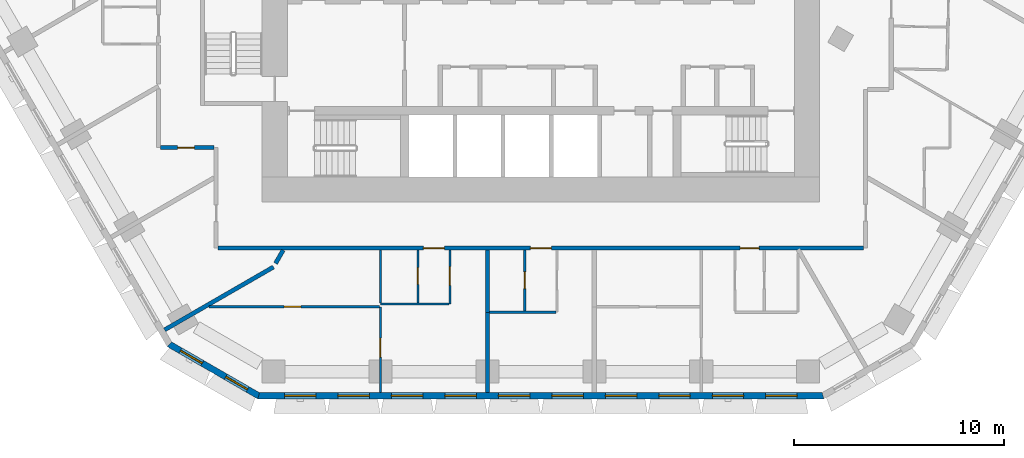
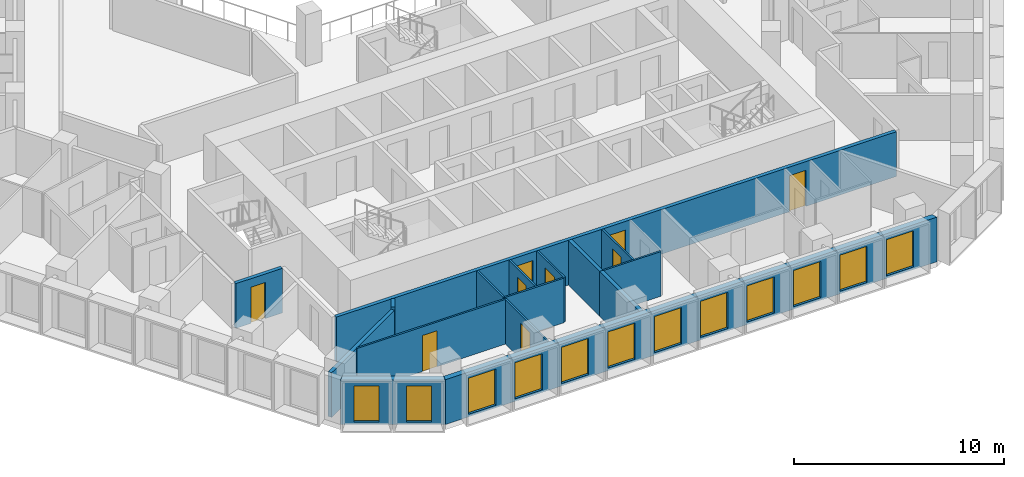
# One storey, part 3 of 21: 16 walls, 12 windows, 9 doors, 21 openings.
"""IFC4 building model written with IfcOpenShell, lengths in metres."""

import ifcopenshell
import ifcopenshell.guid

model = None  # the IFC model being written
_history = None  # IfcOwnerHistory: only IFC2X3 demands one
_inside = {}  # id of a spatial element -> (the spatial element, [elements in it])
_under = {}  # id of a project, library or spatial element -> (it, [spatial elements below it])
_declared = {}  # id of a project -> (the project, [libraries it declares])
_typed = {}  # id of a type object -> (the type object, [elements of that type])
_made_of = {}  # id of a material, layer set ... -> (it, [elements and type objects made of it])


def new_model(schema):
    """Start an empty IFC model of exactly this schema.

    Asked for "IFC4X3", IfcOpenShell would pick the latest addendum, in which some entities
    have other attributes; the version numbers below select the first issue.
    IFC2X3 requires an IfcOwnerHistory on every rooted entity: one is made here for all.
    """
    global model, _history
    if schema == "IFC4X3":
        model = ifcopenshell.file(schema_version=(4, 3, 0, 0))
    else:
        model = ifcopenshell.file(schema=schema)
    _inside.clear()
    _under.clear()
    _declared.clear()
    _typed.clear()
    _made_of.clear()
    _history = None
    if model.schema == "IFC2X3":
        org = make("IfcOrganization", Name="unknown")
        user = make(
            "IfcPersonAndOrganization",
            ThePerson=make("IfcPerson", FamilyName="unknown"),
            TheOrganization=org,
        )
        app = make(
            "IfcApplication",
            ApplicationDeveloper=org,
            Version="unknown",
            ApplicationFullName="unknown",
            ApplicationIdentifier="unknown",
        )
        _history = make(
            "IfcOwnerHistory",
            OwningUser=user,
            OwningApplication=app,
            ChangeAction="ADDED",
            CreationDate=0,
        )
    return model


def make(cls, **values):
    """One entity of the class cls with the attributes given. An attribute that is None is left unset."""
    return model.create_entity(
        cls, **{name: value for name, value in values.items() if value is not None}
    )


def rooted(cls, **values):
    """An entity with a GlobalId (a new one), such as an element, a storey or a relation."""
    return make(cls, GlobalId=ifcopenshell.guid.new(), OwnerHistory=_history, **values)


def si_unit(unit_type, name, prefix=None):
    """IfcSIUnit, for example si_unit("LENGTHUNIT", "METRE", prefix="MILLI")."""
    return make("IfcSIUnit", UnitType=unit_type, Prefix=prefix, Name=name)


def assignment(units):
    """IfcUnitAssignment: the units of a project."""
    return None if units is None else make("IfcUnitAssignment", Units=units)


def point(xyz):
    """IfcCartesianPoint."""
    return None if xyz is None else make("IfcCartesianPoint", Coordinates=xyz)


def direction(xyz):
    """IfcDirection."""
    return None if xyz is None else make("IfcDirection", DirectionRatios=xyz)


def frame(location, z_axis=None, x_axis=None):
    """IfcAxis2Placement3D, a coordinate frame: its origin and axes. An axis left out is left unset."""
    return make(
        "IfcAxis2Placement3D",
        Location=point(location),
        Axis=direction(z_axis),
        RefDirection=direction(x_axis),
    )


def frame_2d(location, x_axis=None):
    """IfcAxis2Placement2D, a coordinate frame in the plane: its origin and x axis."""
    return make(
        "IfcAxis2Placement2D", Location=point(location), RefDirection=direction(x_axis)
    )


def origin():
    """The frame at (0, 0, 0) with its axes left unset."""
    return frame((0.0, 0.0, 0.0))


def place(relative_to, where):
    """IfcLocalPlacement: puts the frame where relative to a parent placement (None: the world)."""
    return make(
        "IfcLocalPlacement", PlacementRelTo=relative_to, RelativePlacement=where
    )


def context(
    kind, dimensions, precision=None, world=None, true_north=None, identifier=None
):
    """IfcGeometricRepresentationContext, for example the 3D "Model" context."""
    return make(
        "IfcGeometricRepresentationContext",
        ContextIdentifier=identifier,
        ContextType=kind,
        CoordinateSpaceDimension=dimensions,
        Precision=precision,
        WorldCoordinateSystem=world,
        TrueNorth=true_north,
    )


def subcontext(parent, identifier, kind, view, scale=None):
    """IfcGeometricRepresentationSubContext, for example "Body" below "Model"."""
    return make(
        "IfcGeometricRepresentationSubContext",
        ContextIdentifier=identifier,
        ContextType=kind,
        ParentContext=parent,
        TargetScale=scale,
        TargetView=view,
    )


def project(units=None, contexts=None):
    """IfcProject with its units and contexts."""
    return rooted(
        "IfcProject",
        Name="project",
        RepresentationContexts=contexts,
        UnitsInContext=assignment(units),
    )


def spatial(cls, under=None, at=None, **own):
    """A site, building, storey or space (cls), placed at a placement, below another one or the project."""
    s = rooted(cls, ObjectPlacement=at, **own)
    if under is not None:
        _under.setdefault(under.id(), (under, []))[1].append(s)
    return s


def polyline(points):
    """IfcPolyline through the points."""
    return make("IfcPolyline", Points=[point(p) for p in points])


def profile(cls, at=None, kind="AREA", **sizes):
    """A parametric profile (cls). Its sizes go by their IFC names, for example OverallWidth=200.0."""
    return make(cls, ProfileType=kind, Position=at, **sizes)


def rectangle(**sizes):
    """IfcRectangleProfileDef."""
    return profile("IfcRectangleProfileDef", **sizes)


def outline(outer, holes=None, kind="AREA"):
    """IfcArbitraryClosedProfileDef: a profile drawn as a closed curve; with holes, ...WithVoids."""
    if holes is None:
        return make("IfcArbitraryClosedProfileDef", ProfileType=kind, OuterCurve=outer)
    return make(
        "IfcArbitraryProfileDefWithVoids",
        ProfileType=kind,
        OuterCurve=outer,
        InnerCurves=holes,
    )


def extrude(swept, where, along, depth):
    """IfcExtrudedAreaSolid: the profile swept, set in the frame where, extruded along a direction by depth."""
    return make(
        "IfcExtrudedAreaSolid",
        SweptArea=swept,
        Position=where,
        ExtrudedDirection=direction(along),
        Depth=depth,
    )


def shape(context_of_items, identifier, shape_type, items):
    """IfcShapeRepresentation: the items that make up one representation, for example the "Body"."""
    return make(
        "IfcShapeRepresentation",
        ContextOfItems=context_of_items,
        RepresentationIdentifier=identifier,
        RepresentationType=shape_type,
        Items=items,
    )


def material(Name=None, Category=None):
    """IfcMaterial."""
    return make("IfcMaterial", Name=Name, Category=Category)


def layer(
    of_material, thickness, ventilated=None, Name=None, Category=None, Priority=None
):
    """IfcMaterialLayer: one layer of a wall or slab, of a material (None: an air gap)."""
    return make(
        "IfcMaterialLayer",
        Material=of_material,
        LayerThickness=thickness,
        IsVentilated=ventilated,
        Name=Name,
        Category=Category,
        Priority=Priority,
    )


def layer_set(layers, Name=None):
    """IfcMaterialLayerSet."""
    return make("IfcMaterialLayerSet", MaterialLayers=layers, LayerSetName=Name)


def made_of(thing, what):
    """Note that an element or type object is made of a material, layer set ...; save() writes the relation."""
    if what is not None:
        _made_of.setdefault(what.id(), (what, []))[1].append(thing)
    return thing


def type_object(cls, material=None, **own):
    """A type object (cls), such as IfcWallType, which elements share."""
    return made_of(rooted(cls, **own), material)


def element(
    cls,
    number,
    at=None,
    inside=None,
    cuts=None,
    type_object=None,
    material=None,
    context=None,
    identifier="Body",
    shape_type=None,
    held_by="IfcProductDefinitionShape",
    body=None,
    shapes=None,
    **own,
):
    """One element of the class cls, such as IfcWall. Its Tag is "e" and its number.

    at: its placement. inside: the storey or other place that contains it. cuts: it is an
    opening in that element (IfcRelVoidsElement). A single representation is given by context,
    identifier, shape_type and body (its items); several are given by shapes. held_by: the class
    of the entity that holds the representations. save() writes the other relations.
    """
    e = rooted(cls, Tag="e%d" % number, ObjectPlacement=at, **own)
    if body is not None:
        shapes = [shape(context, identifier, shape_type, body)]
    if shapes is not None:
        e.Representation = make(held_by, Representations=shapes)
    if inside is not None:
        _inside.setdefault(inside.id(), (inside, []))[1].append(e)
    if cuts is not None:
        rooted(
            "IfcRelVoidsElement", RelatingBuildingElement=cuts, RelatedOpeningElement=e
        )
    if type_object is not None:
        _typed.setdefault(type_object.id(), (type_object, []))[1].append(e)
    return made_of(e, material)


def fill(opening, filler):
    """IfcRelFillsElement: the door or window that sits in an opening."""
    return rooted(
        "IfcRelFillsElement",
        RelatingOpeningElement=opening,
        RelatedBuildingElement=filler,
    )


def aggregate(whole, parts):
    """IfcRelAggregates: a whole, such as a stair, and the parts it consists of."""
    return rooted("IfcRelAggregates", RelatingObject=whole, RelatedObjects=parts)


def save(model, path):
    """Write the relations noted so far, then the file.

    IfcRelAggregates (storeys below a building ...), IfcRelContainedInSpatialStructure (elements
    in a storey), IfcRelDefinesByType, IfcRelAssociatesMaterial and IfcRelDeclares: one each for
    every whole, place, type object, material and project.
    """
    for whole, parts in _under.values():
        aggregate(whole, parts)
    for where, things in _inside.values():
        rooted(
            "IfcRelContainedInSpatialStructure",
            RelatedElements=things,
            RelatingStructure=where,
        )
    for kind, things in _typed.values():
        rooted("IfcRelDefinesByType", RelatedObjects=things, RelatingType=kind)
    for what, things in _made_of.values():
        rooted("IfcRelAssociatesMaterial", RelatedObjects=things, RelatingMaterial=what)
    for by, libraries in _declared.values():
        rooted("IfcRelDeclares", RelatingContext=by, RelatedDefinitions=libraries)
    model.write(path)


model = new_model("IFC4")

# Units and contexts
model_context = context("Model", 3, precision=1e-05, world=origin(), true_north=direction((0.0, 1.0)))
body_context = subcontext(model_context, "Body", "Model", "MODEL_VIEW")
ifc_project = project(units=[si_unit("LENGTHUNIT", "METRE"), si_unit("AREAUNIT", "SQUARE_METRE"), si_unit("VOLUMEUNIT", "CUBIC_METRE"), si_unit("PLANEANGLEUNIT", "RADIAN"), si_unit("MASSUNIT", "GRAM", prefix="KILO")], contexts=[model_context])

# Site, building, storey
site_placement = place(None, origin())
site = spatial("IfcSite", under=ifc_project, at=site_placement, CompositionType="ELEMENT")
building_placement = place(site_placement, origin())
building = spatial("IfcBuilding", under=site, at=building_placement, Name="Beryl Residences", CompositionType="ELEMENT")
storey_placement = place(building_placement, frame((0.0, 0.0, 59.39990234375)))
storey = spatial("IfcBuildingStorey", under=building, at=storey_placement, Name="L18", CompositionType="ELEMENT", Elevation=59.39990234375)

# Wall, openings, windows
ifc_material_1 = material(Name="Composite metal panel with mineral wool insulation")
ifc_layer_1 = layer(ifc_material_1, 0.300048828125)
ifc_layer_set_1 = layer_set([ifc_layer_1], Name="ES1 pale metal composite panel wall 300 mm")
wall_type_1 = type_object("IfcWallType", Name="ES1 pale metal composite panel wall 300 mm", PredefinedType="SOLIDWALL", material=ifc_layer_set_1)
wall_1_placement = place(storey_placement, frame((-17.764892578125, -25.77001953125, 0.0), z_axis=(0.0, 0.0, 1.0), x_axis=(0.866010750942, -0.50002537861, 0.0)))
wall_1 = element("IfcWall", 1, at=wall_1_placement, inside=storey, type_object=wall_type_1, Name="ES1 external wall L18 SW-S", PredefinedType="SOLIDWALL", context=body_context, shape_type="SweptSolid", body=[
    extrude(outline(polyline([(0.0, -0.14990234375), (4.999755859375, -0.14990234375), (4.91943359375, 0.14990234375), (0.080322265625, 0.14990234375), (0.0, -0.14990234375)])), origin(), (0.0, 0.0, 1.0), 2.60009765625),
])
opening_1_placement = place(wall_1_placement, frame((0.64990234375, 0.0, 0.14990234375)))
opening_1 = element("IfcOpeningElement", 2, at=opening_1_placement, cuts=wall_1, Name="Opening W2", PredefinedType="OPENING", context=body_context, shape_type="SweptSolid", body=[
    extrude(rectangle(XDim=1.199951171875, YDim=2.10009765625, at=frame_2d((0.60009765625, 1.050048828125))), frame((0.0, 0.159912109375, 0.0), z_axis=(0.0, -1.0, 0.0), x_axis=(1.0, 0.0, 0.0)), (0.0, 0.0, 1.0), 0.320068359375),
])
opening_2_placement = place(wall_1_placement, frame((3.14990234375, 0.0, 0.14990234375)))
opening_2 = element("IfcOpeningElement", 3, at=opening_2_placement, cuts=wall_1, Name="Opening W2", PredefinedType="OPENING", context=body_context, shape_type="SweptSolid", body=[
    extrude(rectangle(XDim=1.199951171875, YDim=2.10009765625, at=frame_2d((0.60009765625, 1.050048828125))), frame((0.0, 0.159912109375, 0.0), z_axis=(0.0, -1.0, 0.0), x_axis=(1.0, 0.0, 0.0)), (0.0, 0.0, 1.0), 0.320068359375),
])
ifc_material_2 = material(Name="Aluminium and clear glass", Category="aluminium")
window_type_1 = type_object("IfcWindowType", Name="W2 chamfer window 1200 x 2100 mm", PartitioningType="SINGLE_PANEL", PredefinedType="WINDOW", material=ifc_material_2)
window_1_placement = place(opening_1_placement, origin())
window_1 = element("IfcWindow", 4, at=window_1_placement, inside=storey, type_object=window_type_1, Name="W2 window L18 SW-S 1", OverallHeight=2.10009765625, OverallWidth=1.199951171875, PartitioningType="SINGLE_PANEL", PredefinedType="WINDOW", context=body_context, shape_type="SweptSolid", body=[
    extrude(rectangle(XDim=1.199951171875, YDim=2.10009765625, at=frame_2d((0.60009765625, 1.050048828125))), frame((0.0, 0.030029296875, 0.0), z_axis=(0.0, -1.0, 0.0), x_axis=(1.0, 0.0, 0.0)), (0.0, 0.0, 1.0), 0.06005859375),
])
fill(opening_1, window_1)
window_2_placement = place(opening_2_placement, origin())
window_2 = element("IfcWindow", 5, at=window_2_placement, inside=storey, type_object=window_type_1, Name="W2 window L18 SW-S 2", OverallHeight=2.10009765625, OverallWidth=1.199951171875, PartitioningType="SINGLE_PANEL", PredefinedType="WINDOW", context=body_context, shape_type="SweptSolid", body=[
    extrude(rectangle(XDim=1.199951171875, YDim=2.10009765625, at=frame_2d((0.60009765625, 1.050048828125))), frame((0.0, 0.030029296875, 0.0), z_axis=(0.0, -1.0, 0.0), x_axis=(1.0, 0.0, 0.0)), (0.0, 0.0, 1.0), 0.06005859375),
])
fill(opening_2, window_2)

wall_2_placement = place(storey_placement, frame((-13.510009765625, -28.25, 0.0), z_axis=(0.0, 0.0, 1.0), x_axis=(1.0, 0.0, 0.0)))
wall_2 = element("IfcWall", 6, at=wall_2_placement, inside=storey, type_object=wall_type_1, Name="ES1 external wall L18 S", PredefinedType="SOLIDWALL", context=body_context, shape_type="SweptSolid", body=[
    extrude(outline(polyline([(0.0, -0.14990234375), (27.02001953125, -0.14990234375), (26.939697265625, 0.14990234375), (0.080322265625, 0.14990234375), (0.0, -0.14990234375)])), origin(), (0.0, 0.0, 1.0), 2.60009765625),
])
opening_3_placement = place(wall_2_placement, frame((1.277099609375, 0.0, 0.14990234375)))
opening_3 = element("IfcOpeningElement", 7, at=opening_3_placement, cuts=wall_2, Name="Opening W1", PredefinedType="OPENING", context=body_context, shape_type="SweptSolid", body=[
    extrude(rectangle(XDim=1.5, YDim=2.10009765625, at=frame_2d((0.75, 1.050048828125))), frame((0.0, 0.159912109375, 0.0), z_axis=(0.0, -1.0, 0.0), x_axis=(1.0, 0.0, 0.0)), (0.0, 0.0, 1.0), 0.320068359375),
])
opening_4_placement = place(wall_2_placement, frame((3.8291015625, 0.0, 0.14990234375)))
opening_4 = element("IfcOpeningElement", 8, at=opening_4_placement, cuts=wall_2, Name="Opening W1", PredefinedType="OPENING", context=body_context, shape_type="SweptSolid", body=[
    extrude(rectangle(XDim=1.5, YDim=2.10009765625, at=frame_2d((0.75, 1.050048828125))), frame((0.0, 0.159912109375, 0.0), z_axis=(0.0, -1.0, 0.0), x_axis=(1.0, 0.0, 0.0)), (0.0, 0.0, 1.0), 0.320068359375),
])
opening_5_placement = place(wall_2_placement, frame((6.381103515625, 0.0, 0.14990234375)))
opening_5 = element("IfcOpeningElement", 9, at=opening_5_placement, cuts=wall_2, Name="Opening W1", PredefinedType="OPENING", context=body_context, shape_type="SweptSolid", body=[
    extrude(rectangle(XDim=1.5, YDim=2.10009765625, at=frame_2d((0.75, 1.050048828125))), frame((0.0, 0.159912109375, 0.0), z_axis=(0.0, -1.0, 0.0), x_axis=(1.0, 0.0, 0.0)), (0.0, 0.0, 1.0), 0.320068359375),
])
opening_6_placement = place(wall_2_placement, frame((8.93310546875, 0.0, 0.14990234375)))
opening_6 = element("IfcOpeningElement", 10, at=opening_6_placement, cuts=wall_2, Name="Opening W1", PredefinedType="OPENING", context=body_context, shape_type="SweptSolid", body=[
    extrude(rectangle(XDim=1.5, YDim=2.10009765625, at=frame_2d((0.75, 1.050048828125))), frame((0.0, 0.159912109375, 0.0), z_axis=(0.0, -1.0, 0.0), x_axis=(1.0, 0.0, 0.0)), (0.0, 0.0, 1.0), 0.320068359375),
])
opening_7_placement = place(wall_2_placement, frame((11.485107421875, 0.0, 0.14990234375)))
opening_7 = element("IfcOpeningElement", 11, at=opening_7_placement, cuts=wall_2, Name="Opening W1", PredefinedType="OPENING", context=body_context, shape_type="SweptSolid", body=[
    extrude(rectangle(XDim=1.5, YDim=2.10009765625, at=frame_2d((0.75, 1.050048828125))), frame((0.0, 0.159912109375, 0.0), z_axis=(0.0, -1.0, 0.0), x_axis=(1.0, 0.0, 0.0)), (0.0, 0.0, 1.0), 0.320068359375),
])
opening_8_placement = place(wall_2_placement, frame((14.037109375, 0.0, 0.14990234375)))
opening_8 = element("IfcOpeningElement", 12, at=opening_8_placement, cuts=wall_2, Name="Opening W1", PredefinedType="OPENING", context=body_context, shape_type="SweptSolid", body=[
    extrude(rectangle(XDim=1.5, YDim=2.10009765625, at=frame_2d((0.75, 1.050048828125))), frame((0.0, 0.159912109375, 0.0), z_axis=(0.0, -1.0, 0.0), x_axis=(1.0, 0.0, 0.0)), (0.0, 0.0, 1.0), 0.320068359375),
])
opening_9_placement = place(wall_2_placement, frame((16.589111328125, 0.0, 0.14990234375)))
opening_9 = element("IfcOpeningElement", 13, at=opening_9_placement, cuts=wall_2, Name="Opening W1", PredefinedType="OPENING", context=body_context, shape_type="SweptSolid", body=[
    extrude(rectangle(XDim=1.5, YDim=2.10009765625, at=frame_2d((0.75, 1.050048828125))), frame((0.0, 0.159912109375, 0.0), z_axis=(0.0, -1.0, 0.0), x_axis=(1.0, 0.0, 0.0)), (0.0, 0.0, 1.0), 0.320068359375),
])
opening_10_placement = place(wall_2_placement, frame((19.14111328125, 0.0, 0.14990234375)))
opening_10 = element("IfcOpeningElement", 14, at=opening_10_placement, cuts=wall_2, Name="Opening W1", PredefinedType="OPENING", context=body_context, shape_type="SweptSolid", body=[
    extrude(rectangle(XDim=1.5, YDim=2.10009765625, at=frame_2d((0.75, 1.050048828125))), frame((0.0, 0.159912109375, 0.0), z_axis=(0.0, -1.0, 0.0), x_axis=(1.0, 0.0, 0.0)), (0.0, 0.0, 1.0), 0.320068359375),
])
opening_11_placement = place(wall_2_placement, frame((21.693115234375, 0.0, 0.14990234375)))
opening_11 = element("IfcOpeningElement", 15, at=opening_11_placement, cuts=wall_2, Name="Opening W1", PredefinedType="OPENING", context=body_context, shape_type="SweptSolid", body=[
    extrude(rectangle(XDim=1.5, YDim=2.10009765625, at=frame_2d((0.75, 1.050048828125))), frame((0.0, 0.159912109375, 0.0), z_axis=(0.0, -1.0, 0.0), x_axis=(1.0, 0.0, 0.0)), (0.0, 0.0, 1.0), 0.320068359375),
])
opening_12_placement = place(wall_2_placement, frame((24.2451171875, 0.0, 0.14990234375)))
opening_12 = element("IfcOpeningElement", 16, at=opening_12_placement, cuts=wall_2, Name="Opening W1", PredefinedType="OPENING", context=body_context, shape_type="SweptSolid", body=[
    extrude(rectangle(XDim=1.5, YDim=2.10009765625, at=frame_2d((0.75, 1.050048828125))), frame((0.0, 0.159912109375, 0.0), z_axis=(0.0, -1.0, 0.0), x_axis=(1.0, 0.0, 0.0)), (0.0, 0.0, 1.0), 0.320068359375),
])
ifc_material_3 = material(Name="Aluminium and clear glass", Category="aluminium")
window_type_2 = type_object("IfcWindowType", Name="W1 cell window 1500 x 2100 mm", PartitioningType="SINGLE_PANEL", PredefinedType="WINDOW", material=ifc_material_3)
window_3_placement = place(opening_3_placement, origin())
window_3 = element("IfcWindow", 17, at=window_3_placement, inside=storey, type_object=window_type_2, Name="W1 window L18 S 1", OverallHeight=2.10009765625, OverallWidth=1.5, PartitioningType="SINGLE_PANEL", PredefinedType="WINDOW", context=body_context, shape_type="SweptSolid", body=[
    extrude(rectangle(XDim=1.5, YDim=2.10009765625, at=frame_2d((0.75, 1.050048828125))), frame((0.0, 0.030029296875, 0.0), z_axis=(0.0, -1.0, 0.0), x_axis=(1.0, 0.0, 0.0)), (0.0, 0.0, 1.0), 0.06005859375),
])
fill(opening_3, window_3)
window_4_placement = place(opening_4_placement, origin())
window_4 = element("IfcWindow", 18, at=window_4_placement, inside=storey, type_object=window_type_2, Name="W1 window L18 S 2", OverallHeight=2.10009765625, OverallWidth=1.5, PartitioningType="SINGLE_PANEL", PredefinedType="WINDOW", context=body_context, shape_type="SweptSolid", body=[
    extrude(rectangle(XDim=1.5, YDim=2.10009765625, at=frame_2d((0.75, 1.050048828125))), frame((0.0, 0.030029296875, 0.0), z_axis=(0.0, -1.0, 0.0), x_axis=(1.0, 0.0, 0.0)), (0.0, 0.0, 1.0), 0.06005859375),
])
fill(opening_4, window_4)
window_5_placement = place(opening_5_placement, origin())
window_5 = element("IfcWindow", 19, at=window_5_placement, inside=storey, type_object=window_type_2, Name="W1 window L18 S 3", OverallHeight=2.10009765625, OverallWidth=1.5, PartitioningType="SINGLE_PANEL", PredefinedType="WINDOW", context=body_context, shape_type="SweptSolid", body=[
    extrude(rectangle(XDim=1.5, YDim=2.10009765625, at=frame_2d((0.75, 1.050048828125))), frame((0.0, 0.030029296875, 0.0), z_axis=(0.0, -1.0, 0.0), x_axis=(1.0, 0.0, 0.0)), (0.0, 0.0, 1.0), 0.06005859375),
])
fill(opening_5, window_5)
window_6_placement = place(opening_6_placement, origin())
window_6 = element("IfcWindow", 20, at=window_6_placement, inside=storey, type_object=window_type_2, Name="W1 window L18 S 4", OverallHeight=2.10009765625, OverallWidth=1.5, PartitioningType="SINGLE_PANEL", PredefinedType="WINDOW", context=body_context, shape_type="SweptSolid", body=[
    extrude(rectangle(XDim=1.5, YDim=2.10009765625, at=frame_2d((0.75, 1.050048828125))), frame((0.0, 0.030029296875, 0.0), z_axis=(0.0, -1.0, 0.0), x_axis=(1.0, 0.0, 0.0)), (0.0, 0.0, 1.0), 0.06005859375),
])
fill(opening_6, window_6)
window_7_placement = place(opening_7_placement, origin())
window_7 = element("IfcWindow", 21, at=window_7_placement, inside=storey, type_object=window_type_2, Name="W1 window L18 S 5", OverallHeight=2.10009765625, OverallWidth=1.5, PartitioningType="SINGLE_PANEL", PredefinedType="WINDOW", context=body_context, shape_type="SweptSolid", body=[
    extrude(rectangle(XDim=1.5, YDim=2.10009765625, at=frame_2d((0.75, 1.050048828125))), frame((0.0, 0.030029296875, 0.0), z_axis=(0.0, -1.0, 0.0), x_axis=(1.0, 0.0, 0.0)), (0.0, 0.0, 1.0), 0.06005859375),
])
fill(opening_7, window_7)
window_8_placement = place(opening_8_placement, origin())
window_8 = element("IfcWindow", 22, at=window_8_placement, inside=storey, type_object=window_type_2, Name="W1 window L18 S 6", OverallHeight=2.10009765625, OverallWidth=1.5, PartitioningType="SINGLE_PANEL", PredefinedType="WINDOW", context=body_context, shape_type="SweptSolid", body=[
    extrude(rectangle(XDim=1.5, YDim=2.10009765625, at=frame_2d((0.75, 1.050048828125))), frame((0.0, 0.030029296875, 0.0), z_axis=(0.0, -1.0, 0.0), x_axis=(1.0, 0.0, 0.0)), (0.0, 0.0, 1.0), 0.06005859375),
])
fill(opening_8, window_8)
window_9_placement = place(opening_9_placement, origin())
window_9 = element("IfcWindow", 23, at=window_9_placement, inside=storey, type_object=window_type_2, Name="W1 window L18 S 7", OverallHeight=2.10009765625, OverallWidth=1.5, PartitioningType="SINGLE_PANEL", PredefinedType="WINDOW", context=body_context, shape_type="SweptSolid", body=[
    extrude(rectangle(XDim=1.5, YDim=2.10009765625, at=frame_2d((0.75, 1.050048828125))), frame((0.0, 0.030029296875, 0.0), z_axis=(0.0, -1.0, 0.0), x_axis=(1.0, 0.0, 0.0)), (0.0, 0.0, 1.0), 0.06005859375),
])
fill(opening_9, window_9)
window_10_placement = place(opening_10_placement, origin())
window_10 = element("IfcWindow", 24, at=window_10_placement, inside=storey, type_object=window_type_2, Name="W1 window L18 S 8", OverallHeight=2.10009765625, OverallWidth=1.5, PartitioningType="SINGLE_PANEL", PredefinedType="WINDOW", context=body_context, shape_type="SweptSolid", body=[
    extrude(rectangle(XDim=1.5, YDim=2.10009765625, at=frame_2d((0.75, 1.050048828125))), frame((0.0, 0.030029296875, 0.0), z_axis=(0.0, -1.0, 0.0), x_axis=(1.0, 0.0, 0.0)), (0.0, 0.0, 1.0), 0.06005859375),
])
fill(opening_10, window_10)
window_11_placement = place(opening_11_placement, origin())
window_11 = element("IfcWindow", 25, at=window_11_placement, inside=storey, type_object=window_type_2, Name="W1 window L18 S 9", OverallHeight=2.10009765625, OverallWidth=1.5, PartitioningType="SINGLE_PANEL", PredefinedType="WINDOW", context=body_context, shape_type="SweptSolid", body=[
    extrude(rectangle(XDim=1.5, YDim=2.10009765625, at=frame_2d((0.75, 1.050048828125))), frame((0.0, 0.030029296875, 0.0), z_axis=(0.0, -1.0, 0.0), x_axis=(1.0, 0.0, 0.0)), (0.0, 0.0, 1.0), 0.06005859375),
])
fill(opening_11, window_11)
window_12_placement = place(opening_12_placement, origin())
window_12 = element("IfcWindow", 26, at=window_12_placement, inside=storey, type_object=window_type_2, Name="W1 window L18 S 10", OverallHeight=2.10009765625, OverallWidth=1.5, PartitioningType="SINGLE_PANEL", PredefinedType="WINDOW", context=body_context, shape_type="SweptSolid", body=[
    extrude(rectangle(XDim=1.5, YDim=2.10009765625, at=frame_2d((0.75, 1.050048828125))), frame((0.0, 0.030029296875, 0.0), z_axis=(0.0, -1.0, 0.0), x_axis=(1.0, 0.0, 0.0)), (0.0, 0.0, 1.0), 0.06005859375),
])
fill(opening_12, window_12)

# Walls
ifc_material_4 = material(Name="Gypsum board partition on steel studs", Category="steel")
ifc_layer_2 = layer(ifc_material_4, 0.10009765625)
ifc_layer_set_2 = layer_set([ifc_layer_2], Name="PT1 partition 100 mm gypsum board on steel studs")
wall_type_2 = type_object("IfcWallType", Name="PT1 partition 100 mm gypsum board on steel studs", PredefinedType="PARTITIONING", material=ifc_layer_set_2)
wall_3_placement = place(storey_placement, frame((-7.655029296875, -21.300048828125, 0.0), z_axis=(0.0, 0.0, 1.0), x_axis=(0.0, -1.0, 0.0)))
element("IfcWall", 27, at=wall_3_placement, inside=storey, type_object=wall_type_2, Name="Wall PT1 L18 011", PredefinedType="PARTITIONING", context=body_context, shape_type="SweptSolid", body=[
    extrude(rectangle(XDim=2.530029296875, YDim=0.10009765625, at=frame_2d((1.26513671875, 0.0))), origin(), (0.0, 0.0, 1.0), 2.60009765625),
])
wall_4_placement = place(storey_placement, frame((-7.655029296875, -23.860107421875, 0.0), z_axis=(0.0, 0.0, 1.0), x_axis=(1.0, 0.0, 0.0)))
element("IfcWall", 28, at=wall_4_placement, inside=storey, type_object=wall_type_2, Name="Wall PT1 L18 032", PredefinedType="PARTITIONING", context=body_context, shape_type="SweptSolid", body=[
    extrude(rectangle(XDim=3.26708984375, YDim=0.10009765625, at=frame_2d((1.633544921875, 0.0))), origin(), (0.0, 0.0, 1.0), 2.60009765625),
])

# Wall, opening, door
wall_5_placement = place(storey_placement, frame((-15.847900390625, -24.0, 0.0), z_axis=(0.0, 0.0, 1.0), x_axis=(1.0, 0.0, 0.0)))
wall_5 = element("IfcWall", 29, at=wall_5_placement, inside=storey, type_object=wall_type_2, Name="Wall PT1 L18 033", PredefinedType="PARTITIONING", context=body_context, shape_type="SweptSolid", body=[
    extrude(rectangle(XDim=8.142822265625, YDim=0.10009765625, at=frame_2d((4.0712890625, 0.0))), origin(), (0.0, 0.0, 1.0), 2.60009765625),
])
opening_13_placement = place(wall_5_placement, frame((3.595947265625, 0.0, 0.0)))
opening_13 = element("IfcOpeningElement", 30, at=opening_13_placement, cuts=wall_5, Name="Opening D0361", PredefinedType="OPENING", context=body_context, shape_type="SweptSolid", body=[
    extrude(rectangle(XDim=0.800048828125, YDim=2.10009765625, at=frame_2d((0.39990234375, 1.050048828125))), frame((0.0, 0.06005859375, 0.0), z_axis=(0.0, -1.0, 0.0), x_axis=(1.0, 0.0, 0.0)), (0.0, 0.0, 1.0), 0.1201171875),
])
ifc_material_5 = material(Name="Timber door leaf", Category="wood")
door_type_1 = type_object("IfcDoorType", Name="D3 bathroom door 800 x 2100 mm", OperationType="SINGLE_SWING_LEFT", PredefinedType="DOOR", material=ifc_material_5)
door_1_placement = place(opening_13_placement, origin())
door_1 = element("IfcDoor", 31, at=door_1_placement, inside=storey, type_object=door_type_1, Name="Door D0361 L18 001", OperationType="SINGLE_SWING_LEFT", OverallHeight=2.10009765625, OverallWidth=0.800048828125, PredefinedType="DOOR", context=body_context, shape_type="SweptSolid", body=[
    extrude(rectangle(XDim=0.800048828125, YDim=2.10009765625, at=frame_2d((0.39990234375, 1.050048828125))), frame((0.0, 0.02490234375, 0.0), z_axis=(0.0, -1.0, 0.0), x_axis=(1.0, 0.0, 0.0)), (0.0, 0.0, 1.0), 0.050048828125),
])
fill(opening_13, door_1)

# Wall
wall_6_placement = place(storey_placement, frame((-2.450927734375, -24.260009765625, 0.0), z_axis=(0.0, 0.0, 1.0), x_axis=(1.0, 0.0, 0.0)))
element("IfcWall", 32, at=wall_6_placement, inside=storey, type_object=wall_type_2, Name="Wall PT1 L18 035", PredefinedType="PARTITIONING", context=body_context, shape_type="SweptSolid", body=[
    extrude(rectangle(XDim=3.1669921875, YDim=0.10009765625, at=frame_2d((1.58349609375, 0.0))), origin(), (0.0, 0.0, 1.0), 2.60009765625),
])

# Wall, opening, door
wall_7_placement = place(storey_placement, frame((-4.3369140625, -23.85888671875, 0.0), z_axis=(0.0, 0.0, 1.0), x_axis=(0.0, 1.0, 0.0)))
wall_7 = element("IfcWall", 33, at=wall_7_placement, inside=storey, type_object=wall_type_2, Name="Wall PT1 L18 059", PredefinedType="PARTITIONING", context=body_context, shape_type="SweptSolid", body=[
    extrude(rectangle(XDim=2.558837890625, YDim=0.10009765625, at=frame_2d((1.279296875, 0.0))), origin(), (0.0, 0.0, 1.0), 2.60009765625),
])
opening_14_placement = place(wall_7_placement, frame((0.87890625, 0.0, 0.0)))
opening_14 = element("IfcOpeningElement", 34, at=opening_14_placement, cuts=wall_7, Name="Opening D0358", PredefinedType="OPENING", context=body_context, shape_type="SweptSolid", body=[
    extrude(rectangle(XDim=0.89990234375, YDim=2.10009765625, at=frame_2d((0.449951171875, 1.050048828125))), frame((0.0, 0.06005859375, 0.0), z_axis=(0.0, -1.0, 0.0), x_axis=(1.0, 0.0, 0.0)), (0.0, 0.0, 1.0), 0.1201171875),
])
ifc_material_6 = material(Name="Timber door leaf", Category="wood")
door_type_2 = type_object("IfcDoorType", Name="D2 room door 900 x 2100 mm", OperationType="SINGLE_SWING_LEFT", PredefinedType="DOOR", material=ifc_material_6)
door_2_placement = place(opening_14_placement, origin())
door_2 = element("IfcDoor", 35, at=door_2_placement, inside=storey, type_object=door_type_2, Name="Door D0358 L18 001", OperationType="SINGLE_SWING_RIGHT", OverallHeight=2.10009765625, OverallWidth=0.89990234375, PredefinedType="DOOR", context=body_context, shape_type="SweptSolid", body=[
    extrude(rectangle(XDim=0.89990234375, YDim=2.10009765625, at=frame_2d((0.449951171875, 1.050048828125))), frame((0.0, 0.02490234375, 0.0), z_axis=(0.0, -1.0, 0.0), x_axis=(1.0, 0.0, 0.0)), (0.0, 0.0, 1.0), 0.050048828125),
])
fill(opening_14, door_2)

wall_8_placement = place(storey_placement, frame((-5.868896484375, -23.81005859375, 0.0), z_axis=(0.0, 0.0, 1.0), x_axis=(0.0, 1.0, 0.0)))
wall_8 = element("IfcWall", 36, at=wall_8_placement, inside=storey, type_object=wall_type_2, Name="Wall PT1 L18 060", PredefinedType="PARTITIONING", context=body_context, shape_type="SweptSolid", body=[
    extrude(rectangle(XDim=2.510009765625, YDim=0.10009765625, at=frame_2d((1.2548828125, 0.0))), origin(), (0.0, 0.0, 1.0), 2.60009765625),
])
opening_15_placement = place(wall_8_placement, frame((0.8798828125, 0.0, 0.0)))
opening_15 = element("IfcOpeningElement", 37, at=opening_15_placement, cuts=wall_8, Name="Opening D0359", PredefinedType="OPENING", context=body_context, shape_type="SweptSolid", body=[
    extrude(rectangle(XDim=0.800048828125, YDim=2.10009765625, at=frame_2d((0.39990234375, 1.050048828125))), frame((0.0, 0.06005859375, 0.0), z_axis=(0.0, -1.0, 0.0), x_axis=(1.0, 0.0, 0.0)), (0.0, 0.0, 1.0), 0.1201171875),
])
door_3_placement = place(opening_15_placement, origin())
door_3 = element("IfcDoor", 38, at=door_3_placement, inside=storey, type_object=door_type_1, Name="Door D0359 L18 001", OperationType="SINGLE_SWING_LEFT", OverallHeight=2.10009765625, OverallWidth=0.800048828125, PredefinedType="DOOR", context=body_context, shape_type="SweptSolid", body=[
    extrude(rectangle(XDim=0.800048828125, YDim=2.10009765625, at=frame_2d((0.39990234375, 1.050048828125))), frame((0.0, 0.02490234375, 0.0), z_axis=(0.0, -1.0, 0.0), x_axis=(1.0, 0.0, 0.0)), (0.0, 0.0, 1.0), 0.050048828125),
])
fill(opening_15, door_3)

wall_9_placement = place(storey_placement, frame((-0.764892578125, -24.2099609375, 0.0), z_axis=(0.0, 0.0, 1.0), x_axis=(0.0, 1.0, 0.0)))
wall_9 = element("IfcWall", 39, at=wall_9_placement, inside=storey, type_object=wall_type_2, Name="Wall PT1 L18 062", PredefinedType="PARTITIONING", context=body_context, shape_type="SweptSolid", body=[
    extrude(rectangle(XDim=2.909912109375, YDim=0.10009765625, at=frame_2d((1.455078125, 0.0))), origin(), (0.0, 0.0, 1.0), 2.60009765625),
])
opening_16_placement = place(wall_9_placement, frame((1.080078125, 0.0, 0.0)))
opening_16 = element("IfcOpeningElement", 40, at=opening_16_placement, cuts=wall_9, Name="Opening D0364", PredefinedType="OPENING", context=body_context, shape_type="SweptSolid", body=[
    extrude(rectangle(XDim=0.800048828125, YDim=2.10009765625, at=frame_2d((0.39990234375, 1.050048828125))), frame((0.0, 0.06005859375, 0.0), z_axis=(0.0, -1.0, 0.0), x_axis=(1.0, 0.0, 0.0)), (0.0, 0.0, 1.0), 0.1201171875),
])
door_4_placement = place(opening_16_placement, origin())
door_4 = element("IfcDoor", 41, at=door_4_placement, inside=storey, type_object=door_type_1, Name="Door D0364 L18 001", OperationType="SINGLE_SWING_RIGHT", OverallHeight=2.10009765625, OverallWidth=0.800048828125, PredefinedType="DOOR", context=body_context, shape_type="SweptSolid", body=[
    extrude(rectangle(XDim=0.800048828125, YDim=2.10009765625, at=frame_2d((0.39990234375, 1.050048828125))), frame((0.0, 0.02490234375, 0.0), z_axis=(0.0, -1.0, 0.0), x_axis=(1.0, 0.0, 0.0)), (0.0, 0.0, 1.0), 0.050048828125),
])
fill(opening_16, door_4)

wall_10_placement = place(storey_placement, frame((-7.655029296875, -28.10009765625, 0.0), z_axis=(0.0, 0.0, 1.0), x_axis=(0.0, 1.0, 0.0)))
wall_10 = element("IfcWall", 42, at=wall_10_placement, inside=storey, type_object=wall_type_2, Name="Wall PT1 L18 063", PredefinedType="PARTITIONING", context=body_context, shape_type="SweptSolid", body=[
    extrude(rectangle(XDim=4.10009765625, YDim=0.10009765625, at=frame_2d((2.050048828125, 0.0))), origin(), (0.0, 0.0, 1.0), 2.60009765625),
])
opening_17_placement = place(wall_10_placement, frame((1.699951171875, 0.0, 0.0)))
opening_17 = element("IfcOpeningElement", 43, at=opening_17_placement, cuts=wall_10, Name="Opening D0360", PredefinedType="OPENING", context=body_context, shape_type="SweptSolid", body=[
    extrude(rectangle(XDim=0.89990234375, YDim=2.10009765625, at=frame_2d((0.449951171875, 1.050048828125))), frame((0.0, 0.06005859375, 0.0), z_axis=(0.0, -1.0, 0.0), x_axis=(1.0, 0.0, 0.0)), (0.0, 0.0, 1.0), 0.1201171875),
])
door_5_placement = place(opening_17_placement, origin())
door_5 = element("IfcDoor", 44, at=door_5_placement, inside=storey, type_object=door_type_2, Name="Door D0360 L18 001", OperationType="SINGLE_SWING_RIGHT", OverallHeight=2.10009765625, OverallWidth=0.89990234375, PredefinedType="DOOR", context=body_context, shape_type="SweptSolid", body=[
    extrude(rectangle(XDim=0.89990234375, YDim=2.10009765625, at=frame_2d((0.449951171875, 1.050048828125))), frame((0.0, 0.02490234375, 0.0), z_axis=(0.0, -1.0, 0.0), x_axis=(1.0, 0.0, 0.0)), (0.0, 0.0, 1.0), 0.050048828125),
])
fill(opening_17, door_5)

# Walls
ifc_material_7 = material(Name="Acoustic double stud gypsum board wall")
ifc_layer_3 = layer(ifc_material_7, 0.199951171875)
ifc_layer_set_3 = layer_set([ifc_layer_3], Name="PT3 party wall 200 mm acoustic double stud")
wall_type_3 = type_object("IfcWallType", Name="PT3 party wall 200 mm acoustic double stud", PredefinedType="PARTITIONING", material=ifc_layer_set_3)
wall_11_placement = place(storey_placement, frame((-2.551025390625, -21.300048828125, 0.0), z_axis=(0.0, 0.0, 1.0), x_axis=(0.0, -1.0, 0.0)))
element("IfcWall", 45, at=wall_11_placement, inside=storey, type_object=wall_type_3, Name="Wall PT3 L18 004", PredefinedType="PARTITIONING", context=body_context, shape_type="SweptSolid", body=[
    extrude(rectangle(XDim=2.97998046875, YDim=0.199951171875, at=frame_2d((1.489990234375, 0.0))), origin(), (0.0, 0.0, 1.0), 2.60009765625),
])
wall_12_placement = place(storey_placement, frame((-12.660888671875, -21.928955078125, 0.0), z_axis=(0.0, 0.0, 1.0), x_axis=(0.499683639304, 0.866207977689, 0.0)))
element("IfcWall", 46, at=wall_12_placement, inside=storey, type_object=wall_type_3, Name="Wall PT3 L18 016", PredefinedType="PARTITIONING", context=body_context, shape_type="SweptSolid", body=[
    extrude(rectangle(XDim=0.72607421875, YDim=0.199951171875, at=frame_2d((0.363037109375, 0.0))), origin(), (0.0, 0.0, 1.0), 2.60009765625),
])
wall_13_placement = place(storey_placement, frame((-2.551025390625, -28.10009765625, 0.0), z_axis=(0.0, 0.0, 1.0), x_axis=(0.0, 1.0, 0.0)))
element("IfcWall", 47, at=wall_13_placement, inside=storey, type_object=wall_type_3, Name="Wall PT3 L18 021", PredefinedType="PARTITIONING", context=body_context, shape_type="SweptSolid", body=[
    extrude(rectangle(XDim=3.860107421875, YDim=0.199951171875, at=frame_2d((1.93017578125, 0.0))), origin(), (0.0, 0.0, 1.0), 2.60009765625),
])
wall_14_placement = place(storey_placement, frame((-17.955078125, -25.10107421875, 0.0), z_axis=(0.0, 0.0, 1.0), x_axis=(0.866080519133, 0.499904525262, 0.0)))
element("IfcWall", 48, at=wall_14_placement, inside=storey, type_object=wall_type_3, Name="Wall PT3 L18 026", PredefinedType="PARTITIONING", context=body_context, shape_type="SweptSolid", body=[
    extrude(rectangle(XDim=5.997314453125, YDim=0.199951171875, at=frame_2d((2.99853515625, 0.0))), origin(), (0.0, 0.0, 1.0), 2.60009765625),
])

# Wall, opening, door
ifc_material_8 = material(Name="Double stud gypsum board wall")
ifc_layer_4 = layer(ifc_material_8, 0.199951171875)
ifc_layer_set_4 = layer_set([ifc_layer_4], Name="PT4 corridor wall 200 mm double stud")
wall_type_4 = type_object("IfcWallType", Name="PT4 corridor wall 200 mm double stud", PredefinedType="PARTITIONING", material=ifc_layer_set_4)
wall_15_placement = place(storey_placement, frame((-18.14990234375, -16.39990234375, 0.0), z_axis=(0.0, 0.0, 1.0), x_axis=(1.0, 0.0, 0.0)))
wall_15 = element("IfcWall", 49, at=wall_15_placement, inside=storey, type_object=wall_type_4, Name="Wall PT4 L18 011", PredefinedType="PARTITIONING", context=body_context, shape_type="SweptSolid", body=[
    extrude(rectangle(XDim=2.5498046875, YDim=0.199951171875, at=frame_2d((1.27490234375, 0.0))), origin(), (0.0, 0.0, 1.0), 2.60009765625),
])
opening_18_placement = place(wall_15_placement, frame((0.81494140625, 0.0, 0.0)))
opening_18 = element("IfcOpeningElement", 50, at=opening_18_placement, cuts=wall_15, Name="Opening D0355", PredefinedType="OPENING", context=body_context, shape_type="SweptSolid", body=[
    extrude(rectangle(XDim=0.800048828125, YDim=2.10009765625, at=frame_2d((0.39990234375, 1.050048828125))), frame((0.0, 0.10986328125, 0.0), z_axis=(0.0, -1.0, 0.0), x_axis=(1.0, 0.0, 0.0)), (0.0, 0.0, 1.0), 0.219970703125),
])
door_6_placement = place(opening_18_placement, origin())
door_6 = element("IfcDoor", 51, at=door_6_placement, inside=storey, type_object=door_type_1, Name="Door D0355 L18 001", OperationType="SINGLE_SWING_LEFT", OverallHeight=2.10009765625, OverallWidth=0.800048828125, PredefinedType="DOOR", context=body_context, shape_type="SweptSolid", body=[
    extrude(rectangle(XDim=0.800048828125, YDim=2.10009765625, at=frame_2d((0.39990234375, 1.050048828125))), frame((0.0, 0.02490234375, 0.0), z_axis=(0.0, -1.0, 0.0), x_axis=(1.0, 0.0, 0.0)), (0.0, 0.0, 1.0), 0.050048828125),
])
fill(opening_18, door_6)

# Wall, openings, doors
wall_16_placement = place(storey_placement, frame((-15.39990234375, -21.199951171875, 0.0), z_axis=(0.0, 0.0, 1.0), x_axis=(1.0, 0.0, 0.0)))
wall_16 = element("IfcWall", 52, at=wall_16_placement, inside=storey, type_object=wall_type_4, Name="Wall PT4 L18 012", PredefinedType="PARTITIONING", context=body_context, shape_type="SweptSolid", body=[
    extrude(rectangle(XDim=30.798828125, YDim=0.199951171875, at=frame_2d((15.3994140625, 0.0))), origin(), (0.0, 0.0, 1.0), 2.60009765625),
])
opening_19_placement = place(wall_16_placement, frame((9.797119140625, 0.0, 0.0)))
opening_19 = element("IfcOpeningElement", 53, at=opening_19_placement, cuts=wall_16, Name="Opening D0357", PredefinedType="OPENING", context=body_context, shape_type="SweptSolid", body=[
    extrude(rectangle(XDim=1.0, YDim=2.10009765625, at=frame_2d((0.5, 1.050048828125))), frame((0.0, 0.10986328125, 0.0), z_axis=(0.0, -1.0, 0.0), x_axis=(1.0, 0.0, 0.0)), (0.0, 0.0, 1.0), 0.219970703125),
])
opening_20_placement = place(wall_16_placement, frame((14.90087890625, 0.0, 0.0)))
opening_20 = element("IfcOpeningElement", 54, at=opening_20_placement, cuts=wall_16, Name="Opening D0362", PredefinedType="OPENING", context=body_context, shape_type="SweptSolid", body=[
    extrude(rectangle(XDim=1.0, YDim=2.10009765625, at=frame_2d((0.5, 1.050048828125))), frame((0.0, 0.10986328125, 0.0), z_axis=(0.0, -1.0, 0.0), x_axis=(1.0, 0.0, 0.0)), (0.0, 0.0, 1.0), 0.219970703125),
])
opening_21_placement = place(wall_16_placement, frame((24.916015625, 0.0, 0.0)))
opening_21 = element("IfcOpeningElement", 55, at=opening_21_placement, cuts=wall_16, Name="Opening D0365", PredefinedType="OPENING", context=body_context, shape_type="SweptSolid", body=[
    extrude(rectangle(XDim=0.89990234375, YDim=2.10009765625, at=frame_2d((0.449951171875, 1.050048828125))), frame((0.0, 0.10986328125, 0.0), z_axis=(0.0, -1.0, 0.0), x_axis=(1.0, 0.0, 0.0)), (0.0, 0.0, 1.0), 0.219970703125),
])
ifc_material_9 = material(Name="Timber door leaf", Category="wood")
door_type_3 = type_object("IfcDoorType", Name="D1 flat entrance door 1000 x 2100 mm", OperationType="SINGLE_SWING_LEFT", PredefinedType="DOOR", material=ifc_material_9)
door_7_placement = place(opening_19_placement, origin())
door_7 = element("IfcDoor", 56, at=door_7_placement, inside=storey, type_object=door_type_3, Name="Door D0357 L18 001", OperationType="SINGLE_SWING_LEFT", OverallHeight=2.10009765625, OverallWidth=1.0, PredefinedType="DOOR", context=body_context, shape_type="SweptSolid", body=[
    extrude(rectangle(XDim=1.0, YDim=2.10009765625, at=frame_2d((0.5, 1.050048828125))), frame((0.0, 0.02490234375, 0.0), z_axis=(0.0, -1.0, 0.0), x_axis=(1.0, 0.0, 0.0)), (0.0, 0.0, 1.0), 0.050048828125),
])
fill(opening_19, door_7)
door_8_placement = place(opening_20_placement, origin())
door_8 = element("IfcDoor", 57, at=door_8_placement, inside=storey, type_object=door_type_3, Name="Door D0362 L18 001", OperationType="SINGLE_SWING_RIGHT", OverallHeight=2.10009765625, OverallWidth=1.0, PredefinedType="DOOR", context=body_context, shape_type="SweptSolid", body=[
    extrude(rectangle(XDim=1.0, YDim=2.10009765625, at=frame_2d((0.5, 1.050048828125))), frame((0.0, 0.02490234375, 0.0), z_axis=(0.0, -1.0, 0.0), x_axis=(1.0, 0.0, 0.0)), (0.0, 0.0, 1.0), 0.050048828125),
])
fill(opening_20, door_8)
ifc_material_10 = material(Name="Timber door leaf", Category="wood")
door_type_4 = type_object("IfcDoorType", Name="D11 flat entrance door 900 x 2100 mm", OperationType="SINGLE_SWING_LEFT", PredefinedType="DOOR", material=ifc_material_10)
door_9_placement = place(opening_21_placement, origin())
door_9 = element("IfcDoor", 58, at=door_9_placement, inside=storey, type_object=door_type_4, Name="Door D0365 L18 001", OperationType="SINGLE_SWING_LEFT", OverallHeight=2.10009765625, OverallWidth=0.89990234375, PredefinedType="DOOR", context=body_context, shape_type="SweptSolid", body=[
    extrude(rectangle(XDim=0.89990234375, YDim=2.10009765625, at=frame_2d((0.449951171875, 1.050048828125))), frame((0.0, 0.02490234375, 0.0), z_axis=(0.0, -1.0, 0.0), x_axis=(1.0, 0.0, 0.0)), (0.0, 0.0, 1.0), 0.050048828125),
])
fill(opening_21, door_9)

save(model, "model.ifc")
